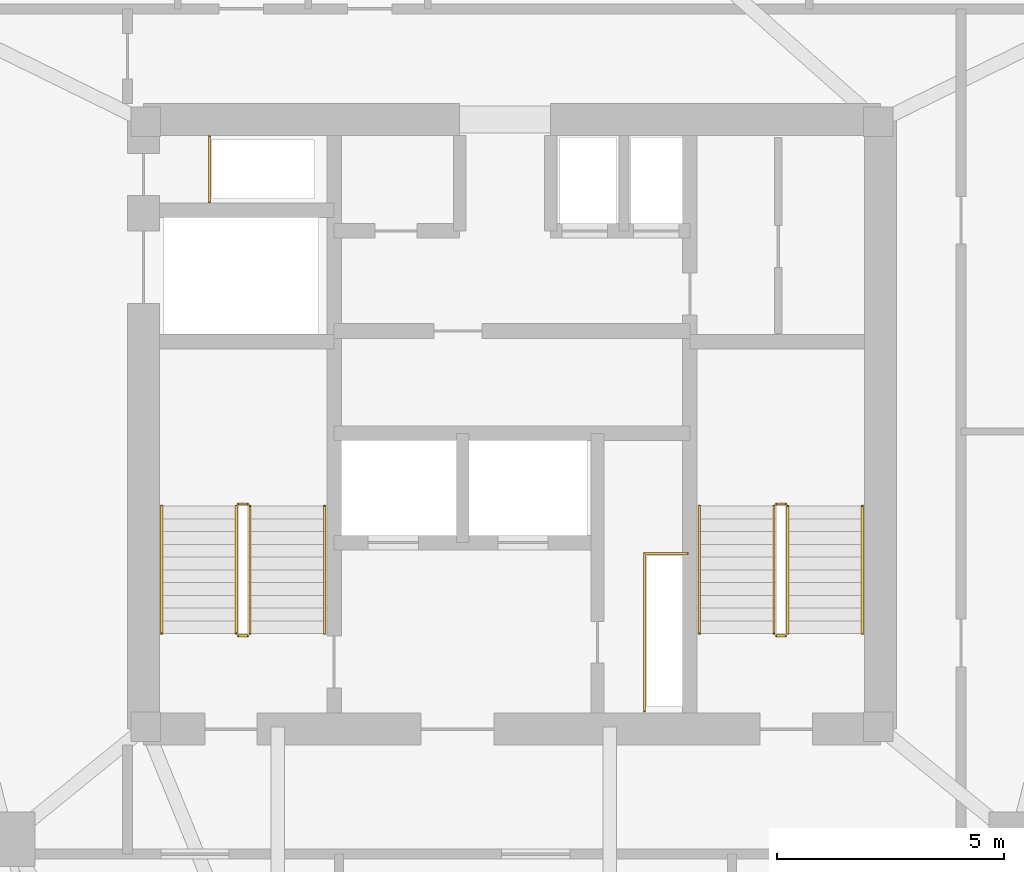
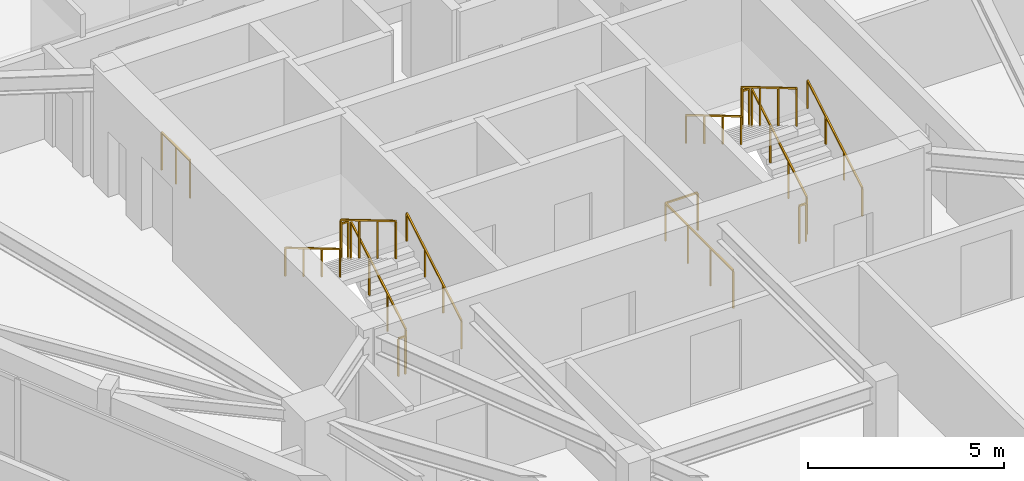
# One storey, part 11 of 12: 14 railings.
"""IFC4 building model written with IfcOpenShell, lengths in metres."""

from ifc_helpers import new_model, si_unit, direction, frame, origin, origin_2d, place, context, subcontext, project, spatial, rectangle, extrude, material, type_object, element, save


model = new_model("IFC4")

# Units and contexts
model_context = context("Model", 3, precision=1e-05, world=origin(), true_north=direction((0.0, 1.0)))
body_context = subcontext(model_context, "Body", "Model", "MODEL_VIEW")
ifc_project = project(units=[si_unit("LENGTHUNIT", "METRE"), si_unit("AREAUNIT", "SQUARE_METRE"), si_unit("VOLUMEUNIT", "CUBIC_METRE"), si_unit("PLANEANGLEUNIT", "RADIAN"), si_unit("MASSUNIT", "GRAM", prefix="KILO")], contexts=[model_context])

# Site, building, storey
site_placement = place(None, origin())
site = spatial("IfcSite", under=ifc_project, at=site_placement, CompositionType="ELEMENT")
building_placement = place(site_placement, origin())
building = spatial("IfcBuilding", under=site, at=building_placement, Name="Talyreon Biosciences Tower", CompositionType="ELEMENT")
storey_placement = place(building_placement, frame((0.0, 0.0, 246.199951171875)))
storey = spatial("IfcBuildingStorey", under=building, at=storey_placement, Name="L65", CompositionType="ELEMENT", Elevation=246.199951171875)

# Railings
ifc_material_1 = material(Name="Brushed stainless-steel tubular handrail", Category="steel")
railing_type_1 = type_object("IfcRailingType", Name="StairWallHandrail_900", PredefinedType="HANDRAIL", material=ifc_material_1)
railing_1_placement = place(storey_placement, frame((61.8798828125, 63.39990234375, 0.166015625)))
element("IfcRailing", 1, at=railing_1_placement, inside=storey, type_object=railing_type_1, Name="L65 ST-1 stair handrail 1", PredefinedType="HANDRAIL", context=body_context, shape_type="SweptSolid", body=[
    extrude(rectangle(XDim=0.048095703125, YDim=0.048095703125, at=origin_2d()), frame((0.0, 0.0, 0.8759765625), z_axis=(0.0, 0.860339051648, 0.50972219513), x_axis=(-1.0, 0.0, 0.0)), (0.0, 0.0, 1.0), 3.254638671875),
    extrude(rectangle(XDim=0.0419921875, YDim=0.0419921875, at=origin_2d()), origin(), (0.0, 0.0, 1.0), 0.851806640625),
    extrude(rectangle(XDim=0.0419921875, YDim=0.0419921875, at=origin_2d()), frame((0.0, 0.933349609375, 0.552978515625)), (0.0, 0.0, 1.0), 0.851806640625),
    extrude(rectangle(XDim=0.0419921875, YDim=0.0419921875, at=origin_2d()), frame((0.0, 1.86669921875, 1.10595703125)), (0.0, 0.0, 1.0), 0.851806640625),
    extrude(rectangle(XDim=0.0419921875, YDim=0.0419921875, at=origin_2d()), frame((0.0, 2.800048828125, 1.658935546875)), (0.0, 0.0, 1.0), 0.851806640625),
])
railing_2_placement = place(storey_placement, frame((58.300048828125, 66.199951171875, 1.990966796875)))
element("IfcRailing", 2, at=railing_2_placement, inside=storey, type_object=railing_type_1, Name="L65 ST-1 stair handrail 2", PredefinedType="HANDRAIL", context=body_context, shape_type="SweptSolid", body=[
    extrude(rectangle(XDim=0.048095703125, YDim=0.048095703125, at=origin_2d()), frame((0.0, 0.0, 0.8759765625), z_axis=(0.0, -0.860306154799, 0.50977771628), x_axis=(1.0, 0.0, 0.0)), (0.0, 0.0, 1.0), 3.254638671875),
    extrude(rectangle(XDim=0.0419921875, YDim=0.0419921875, at=origin_2d()), origin(), (0.0, 0.0, 1.0), 0.851806640625),
    extrude(rectangle(XDim=0.0419921875, YDim=0.0419921875, at=origin_2d()), frame((0.0, -0.933349609375, 0.552978515625)), (0.0, 0.0, 1.0), 0.851806640625),
    extrude(rectangle(XDim=0.0419921875, YDim=0.0419921875, at=origin_2d()), frame((0.0, -1.86669921875, 1.106201171875)), (0.0, 0.0, 1.0), 0.851806640625),
    extrude(rectangle(XDim=0.0419921875, YDim=0.0419921875, at=origin_2d()), frame((0.0, -2.800048828125, 1.6591796875)), (0.0, 0.0, 1.0), 0.851806640625),
])
railing_3_placement = place(storey_placement, frame((73.699951171875, 63.39990234375, 0.166015625)))
element("IfcRailing", 3, at=railing_3_placement, inside=storey, type_object=railing_type_1, Name="L65 ST-2 stair handrail 1", PredefinedType="HANDRAIL", context=body_context, shape_type="SweptSolid", body=[
    extrude(rectangle(XDim=0.048095703125, YDim=0.048095703125, at=origin_2d()), frame((0.0, 0.0, 0.8759765625), z_axis=(0.0, 0.860339051648, 0.50972219513), x_axis=(-1.0, 0.0, 0.0)), (0.0, 0.0, 1.0), 3.254638671875),
    extrude(rectangle(XDim=0.0419921875, YDim=0.0419921875, at=origin_2d()), origin(), (0.0, 0.0, 1.0), 0.851806640625),
    extrude(rectangle(XDim=0.0419921875, YDim=0.0419921875, at=origin_2d()), frame((0.0, 0.933349609375, 0.552978515625)), (0.0, 0.0, 1.0), 0.851806640625),
    extrude(rectangle(XDim=0.0419921875, YDim=0.0419921875, at=origin_2d()), frame((0.0, 1.86669921875, 1.10595703125)), (0.0, 0.0, 1.0), 0.851806640625),
    extrude(rectangle(XDim=0.0419921875, YDim=0.0419921875, at=origin_2d()), frame((0.0, 2.800048828125, 1.658935546875)), (0.0, 0.0, 1.0), 0.851806640625),
])
railing_4_placement = place(storey_placement, frame((70.1201171875, 66.199951171875, 1.990966796875)))
element("IfcRailing", 4, at=railing_4_placement, inside=storey, type_object=railing_type_1, Name="L65 ST-2 stair handrail 2", PredefinedType="HANDRAIL", context=body_context, shape_type="SweptSolid", body=[
    extrude(rectangle(XDim=0.048095703125, YDim=0.048095703125, at=origin_2d()), frame((0.0, 0.0, 0.8759765625), z_axis=(0.0, -0.860306154799, 0.50977771628), x_axis=(1.0, 0.0, 0.0)), (0.0, 0.0, 1.0), 3.254638671875),
    extrude(rectangle(XDim=0.0419921875, YDim=0.0419921875, at=origin_2d()), origin(), (0.0, 0.0, 1.0), 0.851806640625),
    extrude(rectangle(XDim=0.0419921875, YDim=0.0419921875, at=origin_2d()), frame((0.0, -0.933349609375, 0.552978515625)), (0.0, 0.0, 1.0), 0.851806640625),
    extrude(rectangle(XDim=0.0419921875, YDim=0.0419921875, at=origin_2d()), frame((0.0, -1.86669921875, 1.106201171875)), (0.0, 0.0, 1.0), 0.851806640625),
    extrude(rectangle(XDim=0.0419921875, YDim=0.0419921875, at=origin_2d()), frame((0.0, -2.800048828125, 1.6591796875)), (0.0, 0.0, 1.0), 0.851806640625),
])
ifc_material_2 = material(Name="Painted galvanised steel post-and-rail balustrade", Category="steel")
railing_type_2 = type_object("IfcRailingType", Name="TerraceStairGuard_1200", PredefinedType="GUARDRAIL", material=ifc_material_2)
railing_5_placement = place(storey_placement, frame((60.239990234375, 63.39990234375, 0.166015625)))
element("IfcRailing", 5, at=railing_5_placement, inside=storey, type_object=railing_type_2, Name="L65 ST-1 stair guard 1", PredefinedType="GUARDRAIL", context=body_context, shape_type="SweptSolid", body=[
    extrude(rectangle(XDim=0.048095703125, YDim=0.048095703125, at=origin_2d()), frame((0.0, 0.0, 1.17578125), z_axis=(0.0, 0.860339051648, 0.50972219513), x_axis=(-1.0, 0.0, 0.0)), (0.0, 0.0, 1.0), 3.254638671875),
    extrude(rectangle(XDim=0.0419921875, YDim=0.0419921875, at=origin_2d()), origin(), (0.0, 0.0, 1.0), 1.15185546875),
    extrude(rectangle(XDim=0.0419921875, YDim=0.0419921875, at=origin_2d()), frame((0.0, 0.933349609375, 0.552978515625)), (0.0, 0.0, 1.0), 1.15185546875),
    extrude(rectangle(XDim=0.0419921875, YDim=0.0419921875, at=origin_2d()), frame((0.0, 1.86669921875, 1.10595703125)), (0.0, 0.0, 1.0), 1.15185546875),
    extrude(rectangle(XDim=0.0419921875, YDim=0.0419921875, at=origin_2d()), frame((0.0, 2.800048828125, 1.658935546875)), (0.0, 0.0, 1.0), 1.15185546875),
])
railing_6_placement = place(storey_placement, frame((60.18994140625, 66.25, 1.824951171875)))
element("IfcRailing", 6, at=railing_6_placement, inside=storey, type_object=railing_type_2, Name="L65 ST-1 stair guard 2", PredefinedType="GUARDRAIL", context=body_context, shape_type="SweptSolid", body=[
    extrude(rectangle(XDim=0.048095703125, YDim=0.048095703125, at=origin_2d()), frame((0.0, 0.0, 1.17578125), z_axis=(-1.0, 0.0, 0.0), x_axis=(0.0, -1.0, 0.0)), (0.0, 0.0, 1.0), 0.199951171875),
    extrude(rectangle(XDim=0.0419921875, YDim=0.0419921875, at=origin_2d()), origin(), (0.0, 0.0, 1.0), 1.15185546875),
    extrude(rectangle(XDim=0.0419921875, YDim=0.0419921875, at=origin_2d()), frame((-0.199951171875, 0.0, 0.0)), (0.0, 0.0, 1.0), 1.15185546875),
])
railing_7_placement = place(storey_placement, frame((59.93994140625, 66.199951171875, 1.990966796875)))
element("IfcRailing", 7, at=railing_7_placement, inside=storey, type_object=railing_type_2, Name="L65 ST-1 stair guard 3", PredefinedType="GUARDRAIL", context=body_context, shape_type="SweptSolid", body=[
    extrude(rectangle(XDim=0.048095703125, YDim=0.048095703125, at=origin_2d()), frame((0.0, 0.0, 1.17578125), z_axis=(0.0, -0.860306154799, 0.50977771628), x_axis=(1.0, 0.0, 0.0)), (0.0, 0.0, 1.0), 3.254638671875),
    extrude(rectangle(XDim=0.0419921875, YDim=0.0419921875, at=origin_2d()), origin(), (0.0, 0.0, 1.0), 1.15185546875),
    extrude(rectangle(XDim=0.0419921875, YDim=0.0419921875, at=origin_2d()), frame((0.0, -0.933349609375, 0.552978515625)), (0.0, 0.0, 1.0), 1.15185546875),
    extrude(rectangle(XDim=0.0419921875, YDim=0.0419921875, at=origin_2d()), frame((0.0, -1.86669921875, 1.106201171875)), (0.0, 0.0, 1.0), 1.15185546875),
    extrude(rectangle(XDim=0.0419921875, YDim=0.0419921875, at=origin_2d()), frame((0.0, -2.800048828125, 1.6591796875)), (0.0, 0.0, 1.0), 1.15185546875),
])
railing_8_placement = place(storey_placement, frame((60.18994140625, 63.35009765625, 0.0)))
element("IfcRailing", 8, at=railing_8_placement, inside=storey, type_object=railing_type_2, Name="L65 ST-1 stair guard 4", PredefinedType="GUARDRAIL", context=body_context, shape_type="SweptSolid", body=[
    extrude(rectangle(XDim=0.048095703125, YDim=0.048095703125, at=origin_2d()), frame((0.0, 0.0, 1.17578125), z_axis=(-1.0, 0.0, 0.0), x_axis=(0.0, -1.0, 0.0)), (0.0, 0.0, 1.0), 0.199951171875),
    extrude(rectangle(XDim=0.0419921875, YDim=0.0419921875, at=origin_2d()), origin(), (0.0, 0.0, 1.0), 1.15185546875),
    extrude(rectangle(XDim=0.0419921875, YDim=0.0419921875, at=origin_2d()), frame((-0.199951171875, 0.0, 0.0)), (0.0, 0.0, 1.0), 1.15185546875),
])
railing_9_placement = place(storey_placement, frame((72.06005859375, 63.39990234375, 0.166015625)))
element("IfcRailing", 9, at=railing_9_placement, inside=storey, type_object=railing_type_2, Name="L65 ST-2 stair guard 1", PredefinedType="GUARDRAIL", context=body_context, shape_type="SweptSolid", body=[
    extrude(rectangle(XDim=0.048095703125, YDim=0.048095703125, at=origin_2d()), frame((0.0, 0.0, 1.17578125), z_axis=(0.0, 0.860339051648, 0.50972219513), x_axis=(-1.0, 0.0, 0.0)), (0.0, 0.0, 1.0), 3.254638671875),
    extrude(rectangle(XDim=0.0419921875, YDim=0.0419921875, at=origin_2d()), origin(), (0.0, 0.0, 1.0), 1.15185546875),
    extrude(rectangle(XDim=0.0419921875, YDim=0.0419921875, at=origin_2d()), frame((0.0, 0.933349609375, 0.552978515625)), (0.0, 0.0, 1.0), 1.15185546875),
    extrude(rectangle(XDim=0.0419921875, YDim=0.0419921875, at=origin_2d()), frame((0.0, 1.86669921875, 1.10595703125)), (0.0, 0.0, 1.0), 1.15185546875),
    extrude(rectangle(XDim=0.0419921875, YDim=0.0419921875, at=origin_2d()), frame((0.0, 2.800048828125, 1.658935546875)), (0.0, 0.0, 1.0), 1.15185546875),
])
railing_10_placement = place(storey_placement, frame((72.010009765625, 66.25, 1.824951171875)))
element("IfcRailing", 10, at=railing_10_placement, inside=storey, type_object=railing_type_2, Name="L65 ST-2 stair guard 2", PredefinedType="GUARDRAIL", context=body_context, shape_type="SweptSolid", body=[
    extrude(rectangle(XDim=0.048095703125, YDim=0.048095703125, at=origin_2d()), frame((0.0, 0.0, 1.17578125), z_axis=(-1.0, 0.0, 0.0), x_axis=(0.0, -1.0, 0.0)), (0.0, 0.0, 1.0), 0.199951171875),
    extrude(rectangle(XDim=0.0419921875, YDim=0.0419921875, at=origin_2d()), origin(), (0.0, 0.0, 1.0), 1.15185546875),
    extrude(rectangle(XDim=0.0419921875, YDim=0.0419921875, at=origin_2d()), frame((-0.199951171875, 0.0, 0.0)), (0.0, 0.0, 1.0), 1.15185546875),
])
railing_11_placement = place(storey_placement, frame((71.760009765625, 66.199951171875, 1.990966796875)))
element("IfcRailing", 11, at=railing_11_placement, inside=storey, type_object=railing_type_2, Name="L65 ST-2 stair guard 3", PredefinedType="GUARDRAIL", context=body_context, shape_type="SweptSolid", body=[
    extrude(rectangle(XDim=0.048095703125, YDim=0.048095703125, at=origin_2d()), frame((0.0, 0.0, 1.17578125), z_axis=(0.0, -0.860306154799, 0.50977771628), x_axis=(1.0, 0.0, 0.0)), (0.0, 0.0, 1.0), 3.254638671875),
    extrude(rectangle(XDim=0.0419921875, YDim=0.0419921875, at=origin_2d()), origin(), (0.0, 0.0, 1.0), 1.15185546875),
    extrude(rectangle(XDim=0.0419921875, YDim=0.0419921875, at=origin_2d()), frame((0.0, -0.933349609375, 0.552978515625)), (0.0, 0.0, 1.0), 1.15185546875),
    extrude(rectangle(XDim=0.0419921875, YDim=0.0419921875, at=origin_2d()), frame((0.0, -1.86669921875, 1.106201171875)), (0.0, 0.0, 1.0), 1.15185546875),
    extrude(rectangle(XDim=0.0419921875, YDim=0.0419921875, at=origin_2d()), frame((0.0, -2.800048828125, 1.6591796875)), (0.0, 0.0, 1.0), 1.15185546875),
])
railing_12_placement = place(storey_placement, frame((72.010009765625, 63.35009765625, 0.0)))
element("IfcRailing", 12, at=railing_12_placement, inside=storey, type_object=railing_type_2, Name="L65 ST-2 stair guard 4", PredefinedType="GUARDRAIL", context=body_context, shape_type="SweptSolid", body=[
    extrude(rectangle(XDim=0.048095703125, YDim=0.048095703125, at=origin_2d()), frame((0.0, 0.0, 1.17578125), z_axis=(-1.0, 0.0, 0.0), x_axis=(0.0, -1.0, 0.0)), (0.0, 0.0, 1.0), 0.199951171875),
    extrude(rectangle(XDim=0.0419921875, YDim=0.0419921875, at=origin_2d()), origin(), (0.0, 0.0, 1.0), 1.15185546875),
    extrude(rectangle(XDim=0.0419921875, YDim=0.0419921875, at=origin_2d()), frame((-0.199951171875, 0.0, 0.0)), (0.0, 0.0, 1.0), 1.15185546875),
])
railing_13_placement = place(storey_placement, frame((59.35009765625, 72.8798828125, 0.0)))
element("IfcRailing", 13, at=railing_13_placement, inside=storey, type_object=railing_type_2, Name="L65 Exhaust Riser Maintenance Guardrail", PredefinedType="GUARDRAIL", context=body_context, shape_type="SweptSolid", body=[
    extrude(rectangle(XDim=0.048095703125, YDim=0.048095703125, at=origin_2d()), frame((0.0, 0.0, 1.17578125), z_axis=(0.0, 1.0, 0.0), x_axis=(-1.0, 0.0, 0.0)), (0.0, 0.0, 1.0), 1.4501953125),
    extrude(rectangle(XDim=0.0419921875, YDim=0.0419921875, at=origin_2d()), origin(), (0.0, 0.0, 1.0), 1.15185546875),
    extrude(rectangle(XDim=0.0419921875, YDim=0.0419921875, at=origin_2d()), frame((0.0, 0.72509765625, 0.0)), (0.0, 0.0, 1.0), 1.15185546875),
    extrude(rectangle(XDim=0.0419921875, YDim=0.0419921875, at=origin_2d()), frame((0.0, 1.4501953125, 0.0)), (0.0, 0.0, 1.0), 1.15185546875),
])
railing_14_placement = place(storey_placement, frame((68.909912109375, 61.699951171875, 0.0)))
element("IfcRailing", 14, at=railing_14_placement, inside=storey, type_object=railing_type_2, Name="L65 Electrical Riser Maintenance Guardrail", PredefinedType="GUARDRAIL", context=body_context, shape_type="SweptSolid", body=[
    extrude(rectangle(XDim=0.048095703125, YDim=0.048095703125, at=origin_2d()), frame((0.0, 0.0, 1.17578125), z_axis=(0.0, 1.0, 0.0), x_axis=(-1.0, 0.0, 0.0)), (0.0, 0.0, 1.0), 3.4599609375),
    extrude(rectangle(XDim=0.048095703125, YDim=0.048095703125, at=origin_2d()), frame((0.0, 3.4599609375, 1.17578125), z_axis=(1.0, 0.0, 0.0), x_axis=(0.0, 1.0, 0.0)), (0.0, 0.0, 1.0), 0.9501953125),
    extrude(rectangle(XDim=0.0419921875, YDim=0.0419921875, at=origin_2d()), origin(), (0.0, 0.0, 1.0), 1.15185546875),
    extrude(rectangle(XDim=0.0419921875, YDim=0.0419921875, at=origin_2d()), frame((0.0, 1.1533203125, 0.0)), (0.0, 0.0, 1.0), 1.15185546875),
    extrude(rectangle(XDim=0.0419921875, YDim=0.0419921875, at=origin_2d()), frame((0.0, 2.306640625, 0.0)), (0.0, 0.0, 1.0), 1.15185546875),
    extrude(rectangle(XDim=0.0419921875, YDim=0.0419921875, at=origin_2d()), frame((0.0, 3.4599609375, 0.0)), (0.0, 0.0, 1.0), 1.15185546875),
    extrude(rectangle(XDim=0.0419921875, YDim=0.0419921875, at=origin_2d()), frame((0.9501953125, 3.4599609375, 0.0)), (0.0, 0.0, 1.0), 1.15185546875),
])

save(model, "model.ifc")
